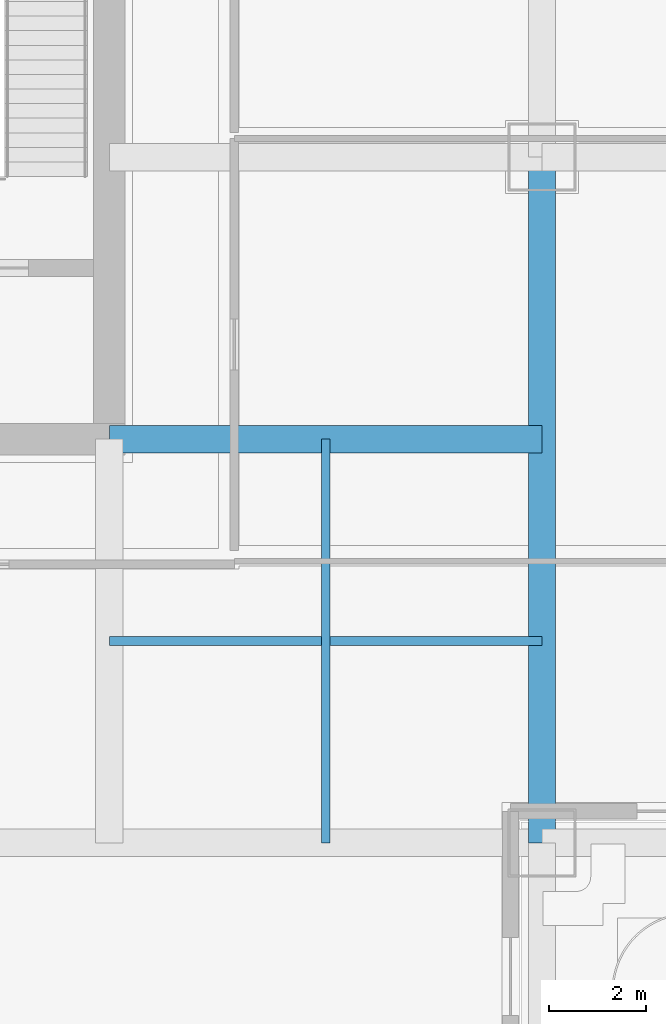
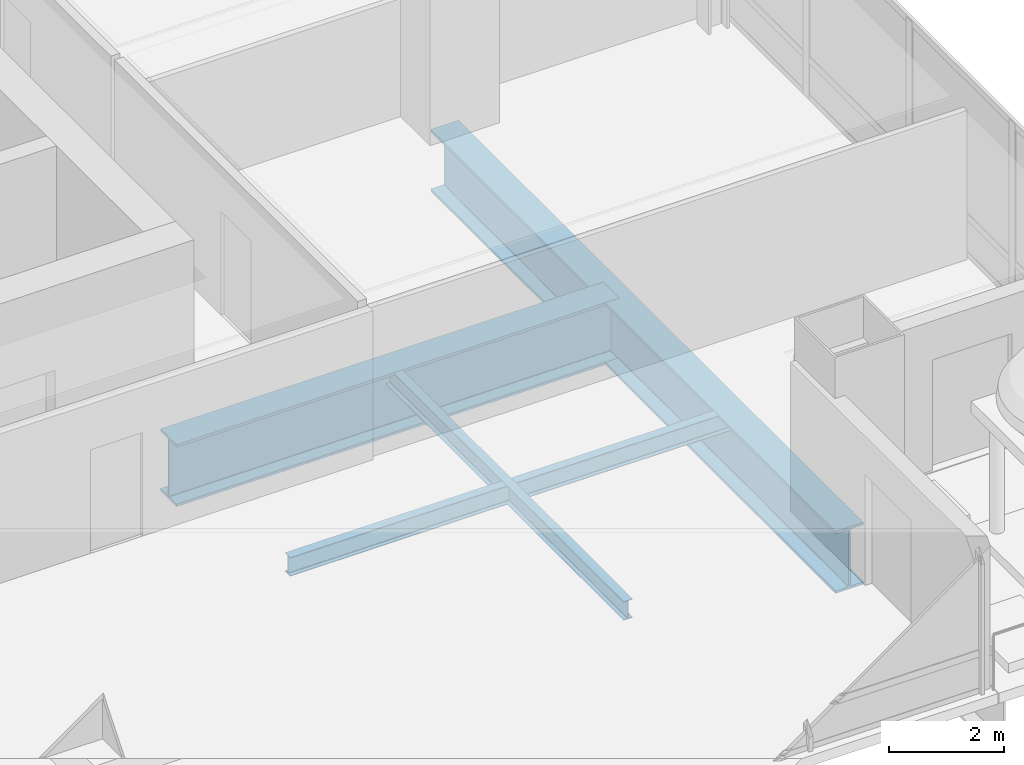
# One storey, part 13 of 41: 4 beams.
"""IFC4 building model written with IfcOpenShell, lengths in metres."""

import ifcopenshell
import ifcopenshell.guid

model = None  # the IFC model being written
_history = None  # IfcOwnerHistory: only IFC2X3 demands one
_inside = {}  # id of a spatial element -> (the spatial element, [elements in it])
_under = {}  # id of a project, library or spatial element -> (it, [spatial elements below it])
_declared = {}  # id of a project -> (the project, [libraries it declares])
_typed = {}  # id of a type object -> (the type object, [elements of that type])
_made_of = {}  # id of a material, layer set ... -> (it, [elements and type objects made of it])


def new_model(schema):
    """Start an empty IFC model of exactly this schema.

    Asked for "IFC4X3", IfcOpenShell would pick the latest addendum, in which some entities
    have other attributes; the version numbers below select the first issue.
    IFC2X3 requires an IfcOwnerHistory on every rooted entity: one is made here for all.
    """
    global model, _history
    if schema == "IFC4X3":
        model = ifcopenshell.file(schema_version=(4, 3, 0, 0))
    else:
        model = ifcopenshell.file(schema=schema)
    _inside.clear()
    _under.clear()
    _declared.clear()
    _typed.clear()
    _made_of.clear()
    _history = None
    if model.schema == "IFC2X3":
        org = make("IfcOrganization", Name="unknown")
        user = make(
            "IfcPersonAndOrganization",
            ThePerson=make("IfcPerson", FamilyName="unknown"),
            TheOrganization=org,
        )
        app = make(
            "IfcApplication",
            ApplicationDeveloper=org,
            Version="unknown",
            ApplicationFullName="unknown",
            ApplicationIdentifier="unknown",
        )
        _history = make(
            "IfcOwnerHistory",
            OwningUser=user,
            OwningApplication=app,
            ChangeAction="ADDED",
            CreationDate=0,
        )
    return model


def make(cls, **values):
    """One entity of the class cls with the attributes given. An attribute that is None is left unset."""
    return model.create_entity(
        cls, **{name: value for name, value in values.items() if value is not None}
    )


def rooted(cls, **values):
    """An entity with a GlobalId (a new one), such as an element, a storey or a relation."""
    return make(cls, GlobalId=ifcopenshell.guid.new(), OwnerHistory=_history, **values)


def si_unit(unit_type, name, prefix=None):
    """IfcSIUnit, for example si_unit("LENGTHUNIT", "METRE", prefix="MILLI")."""
    return make("IfcSIUnit", UnitType=unit_type, Prefix=prefix, Name=name)


def assignment(units):
    """IfcUnitAssignment: the units of a project."""
    return None if units is None else make("IfcUnitAssignment", Units=units)


def point(xyz):
    """IfcCartesianPoint."""
    return None if xyz is None else make("IfcCartesianPoint", Coordinates=xyz)


def direction(xyz):
    """IfcDirection."""
    return None if xyz is None else make("IfcDirection", DirectionRatios=xyz)


def frame(location, z_axis=None, x_axis=None):
    """IfcAxis2Placement3D, a coordinate frame: its origin and axes. An axis left out is left unset."""
    return make(
        "IfcAxis2Placement3D",
        Location=point(location),
        Axis=direction(z_axis),
        RefDirection=direction(x_axis),
    )


def frame_2d(location, x_axis=None):
    """IfcAxis2Placement2D, a coordinate frame in the plane: its origin and x axis."""
    return make(
        "IfcAxis2Placement2D", Location=point(location), RefDirection=direction(x_axis)
    )


def origin():
    """The frame at (0, 0, 0) with its axes left unset."""
    return frame((0.0, 0.0, 0.0))


def origin_2d():
    """The frame at (0, 0) in the plane with its x axis left unset."""
    return frame_2d((0.0, 0.0))


def place(relative_to, where):
    """IfcLocalPlacement: puts the frame where relative to a parent placement (None: the world)."""
    return make(
        "IfcLocalPlacement", PlacementRelTo=relative_to, RelativePlacement=where
    )


def context(
    kind, dimensions, precision=None, world=None, true_north=None, identifier=None
):
    """IfcGeometricRepresentationContext, for example the 3D "Model" context."""
    return make(
        "IfcGeometricRepresentationContext",
        ContextIdentifier=identifier,
        ContextType=kind,
        CoordinateSpaceDimension=dimensions,
        Precision=precision,
        WorldCoordinateSystem=world,
        TrueNorth=true_north,
    )


def subcontext(parent, identifier, kind, view, scale=None):
    """IfcGeometricRepresentationSubContext, for example "Body" below "Model"."""
    return make(
        "IfcGeometricRepresentationSubContext",
        ContextIdentifier=identifier,
        ContextType=kind,
        ParentContext=parent,
        TargetScale=scale,
        TargetView=view,
    )


def project(units=None, contexts=None):
    """IfcProject with its units and contexts."""
    return rooted(
        "IfcProject",
        Name="project",
        RepresentationContexts=contexts,
        UnitsInContext=assignment(units),
    )


def spatial(cls, under=None, at=None, **own):
    """A site, building, storey or space (cls), placed at a placement, below another one or the project."""
    s = rooted(cls, ObjectPlacement=at, **own)
    if under is not None:
        _under.setdefault(under.id(), (under, []))[1].append(s)
    return s


def profile(cls, at=None, kind="AREA", **sizes):
    """A parametric profile (cls). Its sizes go by their IFC names, for example OverallWidth=200.0."""
    return make(cls, ProfileType=kind, Position=at, **sizes)


def i_section(**sizes):
    """IfcIShapeProfileDef."""
    return profile("IfcIShapeProfileDef", **sizes)


def extrude(swept, where, along, depth):
    """IfcExtrudedAreaSolid: the profile swept, set in the frame where, extruded along a direction by depth."""
    return make(
        "IfcExtrudedAreaSolid",
        SweptArea=swept,
        Position=where,
        ExtrudedDirection=direction(along),
        Depth=depth,
    )


def shape(context_of_items, identifier, shape_type, items):
    """IfcShapeRepresentation: the items that make up one representation, for example the "Body"."""
    return make(
        "IfcShapeRepresentation",
        ContextOfItems=context_of_items,
        RepresentationIdentifier=identifier,
        RepresentationType=shape_type,
        Items=items,
    )


def material(Name=None, Category=None):
    """IfcMaterial."""
    return make("IfcMaterial", Name=Name, Category=Category)


def material_profile(
    of_material, cross_section, Name=None, Category=None, Priority=None
):
    """IfcMaterialProfile: a cross section and its material."""
    return make(
        "IfcMaterialProfile",
        Name=Name,
        Material=of_material,
        Profile=cross_section,
        Priority=Priority,
        Category=Category,
    )


def profile_set(profiles, Name=None, composite=None):
    """IfcMaterialProfileSet."""
    return make(
        "IfcMaterialProfileSet",
        Name=Name,
        MaterialProfiles=profiles,
        CompositeProfile=composite,
    )


def made_of(thing, what):
    """Note that an element or type object is made of a material, layer set ...; save() writes the relation."""
    if what is not None:
        _made_of.setdefault(what.id(), (what, []))[1].append(thing)
    return thing


def type_object(cls, material=None, **own):
    """A type object (cls), such as IfcWallType, which elements share."""
    return made_of(rooted(cls, **own), material)


def element(
    cls,
    number,
    at=None,
    inside=None,
    cuts=None,
    type_object=None,
    material=None,
    context=None,
    identifier="Body",
    shape_type=None,
    held_by="IfcProductDefinitionShape",
    body=None,
    shapes=None,
    **own,
):
    """One element of the class cls, such as IfcWall. Its Tag is "e" and its number.

    at: its placement. inside: the storey or other place that contains it. cuts: it is an
    opening in that element (IfcRelVoidsElement). A single representation is given by context,
    identifier, shape_type and body (its items); several are given by shapes. held_by: the class
    of the entity that holds the representations. save() writes the other relations.
    """
    e = rooted(cls, Tag="e%d" % number, ObjectPlacement=at, **own)
    if body is not None:
        shapes = [shape(context, identifier, shape_type, body)]
    if shapes is not None:
        e.Representation = make(held_by, Representations=shapes)
    if inside is not None:
        _inside.setdefault(inside.id(), (inside, []))[1].append(e)
    if cuts is not None:
        rooted(
            "IfcRelVoidsElement", RelatingBuildingElement=cuts, RelatedOpeningElement=e
        )
    if type_object is not None:
        _typed.setdefault(type_object.id(), (type_object, []))[1].append(e)
    return made_of(e, material)


def aggregate(whole, parts):
    """IfcRelAggregates: a whole, such as a stair, and the parts it consists of."""
    return rooted("IfcRelAggregates", RelatingObject=whole, RelatedObjects=parts)


def save(model, path):
    """Write the relations noted so far, then the file.

    IfcRelAggregates (storeys below a building ...), IfcRelContainedInSpatialStructure (elements
    in a storey), IfcRelDefinesByType, IfcRelAssociatesMaterial and IfcRelDeclares: one each for
    every whole, place, type object, material and project.
    """
    for whole, parts in _under.values():
        aggregate(whole, parts)
    for where, things in _inside.values():
        rooted(
            "IfcRelContainedInSpatialStructure",
            RelatedElements=things,
            RelatingStructure=where,
        )
    for kind, things in _typed.values():
        rooted("IfcRelDefinesByType", RelatedObjects=things, RelatingType=kind)
    for what, things in _made_of.values():
        rooted("IfcRelAssociatesMaterial", RelatedObjects=things, RelatingMaterial=what)
    for by, libraries in _declared.values():
        rooted("IfcRelDeclares", RelatingContext=by, RelatedDefinitions=libraries)
    model.write(path)


model = new_model("IFC4")

# Units and contexts
model_context = context("Model", 3, precision=1e-05, world=origin(), true_north=direction((0.0, 1.0)))
body_context = subcontext(model_context, "Body", "Model", "MODEL_VIEW")
ifc_project = project(units=[si_unit("LENGTHUNIT", "METRE"), si_unit("AREAUNIT", "SQUARE_METRE"), si_unit("VOLUMEUNIT", "CUBIC_METRE"), si_unit("PLANEANGLEUNIT", "RADIAN"), si_unit("MASSUNIT", "GRAM", prefix="KILO")], contexts=[model_context])

# Site, building, storey
site_placement = place(None, origin())
site = spatial("IfcSite", under=ifc_project, at=site_placement, CompositionType="ELEMENT")
building_placement = place(site_placement, origin())
building = spatial("IfcBuilding", under=site, at=building_placement, Name="Punatoya Terracotta Tower", CompositionType="ELEMENT")
storey_placement = place(building_placement, frame((0.0, 0.0, 220.800048828125)))
storey = spatial("IfcBuildingStorey", under=building, at=storey_placement, Name="L52", CompositionType="ELEMENT", Elevation=220.800048828125)

# Beams
ifc_material_1 = material(Name="Steel S355", Category="steel")
ifc_material_profile_1 = material_profile(ifc_material_1, i_section(OverallWidth=0.179931640625, OverallDepth=0.39990234375, WebThickness=0.008544921875, FlangeThickness=0.013427734375, FilletRadius=0.01806640625, at=origin_2d()))
ifc_profile_set_1 = profile_set([ifc_material_profile_1], Name="Steel S355")
beam_type_1 = type_object("IfcBeamType", Name="BM-SEC-400", PredefinedType="JOIST", material=ifc_profile_set_1)
beam_1_placement = place(storey_placement, frame((10.199951171875, -13.35009765625, -0.420166015625), z_axis=(1.0, 0.0, 0.0), x_axis=(0.0, 1.0, 0.0)))
element("IfcBeam", 1, at=beam_1_placement, inside=storey, type_object=beam_type_1, Name="BM-L52-SJS-2", PredefinedType="JOIST", context=body_context, shape_type="SweptSolid", body=[
    extrude(i_section(OverallWidth=0.179931640625, OverallDepth=0.39990234375, WebThickness=0.008544921875, FlangeThickness=0.013427734375, FilletRadius=0.01806640625, at=origin_2d()), origin(), (0.0, 0.0, 1.0), 8.900146484375),
])
beam_2_placement = place(storey_placement, frame((14.64990234375, -17.5, -0.420166015625), z_axis=(0.0, 1.0, 0.0), x_axis=(-1.0, 0.0, 0.0)))
element("IfcBeam", 2, at=beam_2_placement, inside=storey, type_object=beam_type_1, Name="BM-L52-SJE-1", PredefinedType="JOIST", context=body_context, shape_type="SweptSolid", body=[
    extrude(i_section(OverallWidth=0.179931640625, OverallDepth=0.39990234375, WebThickness=0.008544921875, FlangeThickness=0.013427734375, FilletRadius=0.01806640625, at=origin_2d()), origin(), (0.0, 0.0, 1.0), 8.300048828125),
])
ifc_material_2 = material(Name="Steel S460", Category="steel")
ifc_material_profile_2 = material_profile(ifc_material_2, i_section(OverallWidth=0.56005859375, OverallDepth=1.320068359375, WebThickness=0.035888671875, FlangeThickness=0.054931640625, FilletRadius=0.01806640625, at=origin_2d()))
ifc_profile_set_2 = profile_set([ifc_material_profile_2], Name="Steel S460")
beam_type_2 = type_object("IfcBeamType", Name="BM-TG-BLK", PredefinedType="BEAM", material=ifc_profile_set_2)
beam_3_placement = place(storey_placement, frame((19.10009765625, -17.5, -0.880126953125), z_axis=(0.0, 1.0, 0.0), x_axis=(-1.0, 0.0, 0.0)))
element("IfcBeam", 3, at=beam_3_placement, inside=storey, type_object=beam_type_2, Name="BM-L52-RG-E1", PredefinedType="BEAM", context=body_context, shape_type="SweptSolid", body=[
    extrude(i_section(OverallWidth=0.56005859375, OverallDepth=1.320068359375, WebThickness=0.035888671875, FlangeThickness=0.054931640625, FilletRadius=0.01806640625, at=origin_2d()), origin(), (0.0, 0.0, 1.0), 14.10009765625),
])
beam_4_placement = place(storey_placement, frame((10.199951171875, -9.199951171875, -0.880126953125), z_axis=(1.0, 0.0, 0.0), x_axis=(0.0, 1.0, 0.0)))
element("IfcBeam", 4, at=beam_4_placement, inside=storey, type_object=beam_type_2, Name="BM-L52-PR-ES", PredefinedType="BEAM", context=body_context, shape_type="SweptSolid", body=[
    extrude(i_section(OverallWidth=0.56005859375, OverallDepth=1.320068359375, WebThickness=0.035888671875, FlangeThickness=0.054931640625, FilletRadius=0.01806640625, at=origin_2d()), origin(), (0.0, 0.0, 1.0), 8.900146484375),
])

save(model, "model.ifc")
